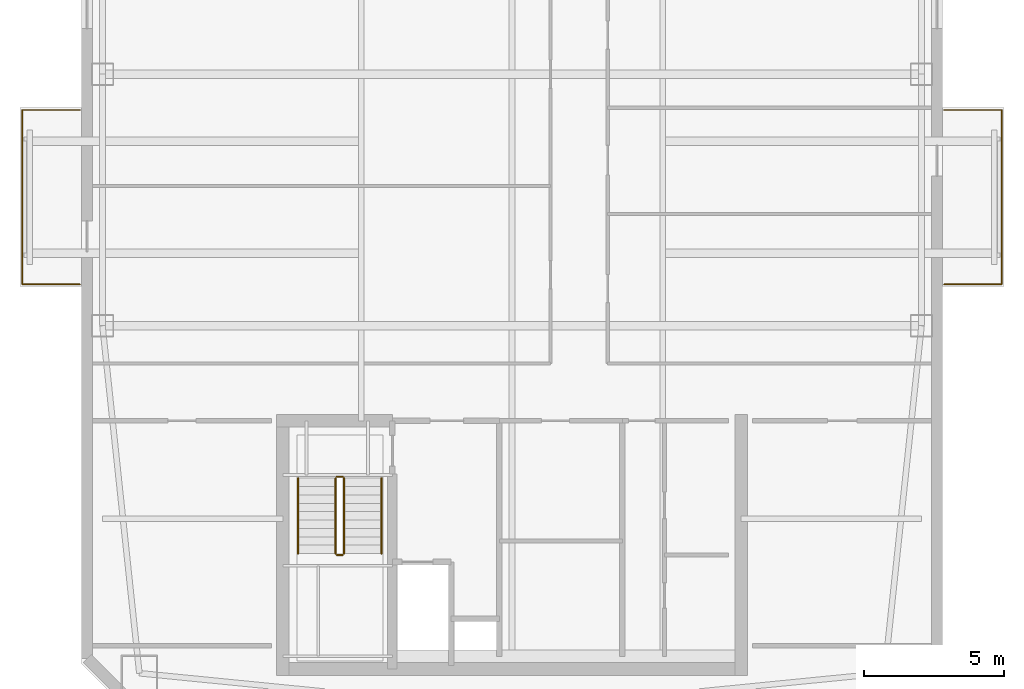
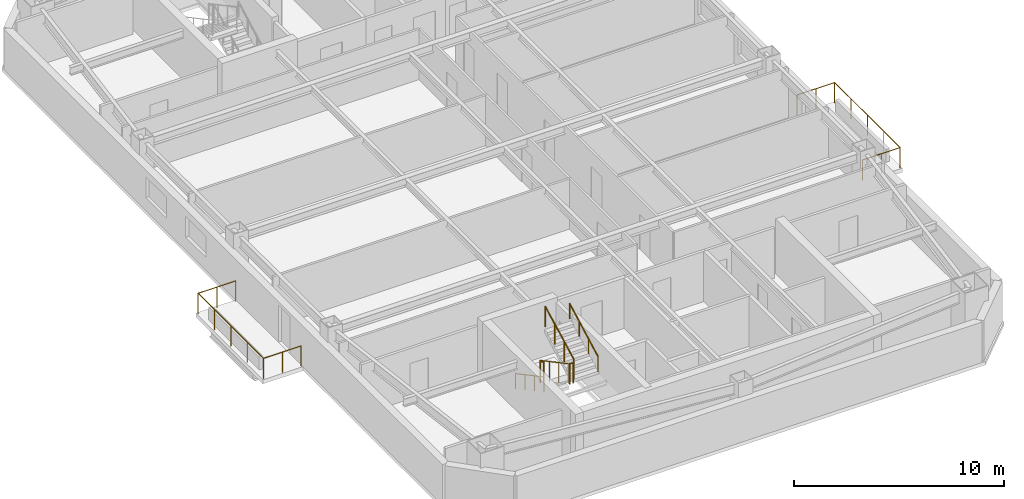
# One storey, part 5 of 6: 8 railings.
"""IFC4 building model written with IfcOpenShell, lengths in metres."""

import ifcopenshell
import ifcopenshell.guid

model = None  # the IFC model being written
_history = None  # IfcOwnerHistory: only IFC2X3 demands one
_inside = {}  # id of a spatial element -> (the spatial element, [elements in it])
_under = {}  # id of a project, library or spatial element -> (it, [spatial elements below it])
_declared = {}  # id of a project -> (the project, [libraries it declares])
_typed = {}  # id of a type object -> (the type object, [elements of that type])
_made_of = {}  # id of a material, layer set ... -> (it, [elements and type objects made of it])


def new_model(schema):
    """Start an empty IFC model of exactly this schema.

    Asked for "IFC4X3", IfcOpenShell would pick the latest addendum, in which some entities
    have other attributes; the version numbers below select the first issue.
    IFC2X3 requires an IfcOwnerHistory on every rooted entity: one is made here for all.
    """
    global model, _history
    if schema == "IFC4X3":
        model = ifcopenshell.file(schema_version=(4, 3, 0, 0))
    else:
        model = ifcopenshell.file(schema=schema)
    _inside.clear()
    _under.clear()
    _declared.clear()
    _typed.clear()
    _made_of.clear()
    _history = None
    if model.schema == "IFC2X3":
        org = make("IfcOrganization", Name="unknown")
        user = make(
            "IfcPersonAndOrganization",
            ThePerson=make("IfcPerson", FamilyName="unknown"),
            TheOrganization=org,
        )
        app = make(
            "IfcApplication",
            ApplicationDeveloper=org,
            Version="unknown",
            ApplicationFullName="unknown",
            ApplicationIdentifier="unknown",
        )
        _history = make(
            "IfcOwnerHistory",
            OwningUser=user,
            OwningApplication=app,
            ChangeAction="ADDED",
            CreationDate=0,
        )
    return model


def make(cls, **values):
    """One entity of the class cls with the attributes given. An attribute that is None is left unset."""
    return model.create_entity(
        cls, **{name: value for name, value in values.items() if value is not None}
    )


def rooted(cls, **values):
    """An entity with a GlobalId (a new one), such as an element, a storey or a relation."""
    return make(cls, GlobalId=ifcopenshell.guid.new(), OwnerHistory=_history, **values)


def si_unit(unit_type, name, prefix=None):
    """IfcSIUnit, for example si_unit("LENGTHUNIT", "METRE", prefix="MILLI")."""
    return make("IfcSIUnit", UnitType=unit_type, Prefix=prefix, Name=name)


def assignment(units):
    """IfcUnitAssignment: the units of a project."""
    return None if units is None else make("IfcUnitAssignment", Units=units)


def point(xyz):
    """IfcCartesianPoint."""
    return None if xyz is None else make("IfcCartesianPoint", Coordinates=xyz)


def direction(xyz):
    """IfcDirection."""
    return None if xyz is None else make("IfcDirection", DirectionRatios=xyz)


def frame(location, z_axis=None, x_axis=None):
    """IfcAxis2Placement3D, a coordinate frame: its origin and axes. An axis left out is left unset."""
    return make(
        "IfcAxis2Placement3D",
        Location=point(location),
        Axis=direction(z_axis),
        RefDirection=direction(x_axis),
    )


def frame_2d(location, x_axis=None):
    """IfcAxis2Placement2D, a coordinate frame in the plane: its origin and x axis."""
    return make(
        "IfcAxis2Placement2D", Location=point(location), RefDirection=direction(x_axis)
    )


def origin():
    """The frame at (0, 0, 0) with its axes left unset."""
    return frame((0.0, 0.0, 0.0))


def origin_2d():
    """The frame at (0, 0) in the plane with its x axis left unset."""
    return frame_2d((0.0, 0.0))


def place(relative_to, where):
    """IfcLocalPlacement: puts the frame where relative to a parent placement (None: the world)."""
    return make(
        "IfcLocalPlacement", PlacementRelTo=relative_to, RelativePlacement=where
    )


def context(
    kind, dimensions, precision=None, world=None, true_north=None, identifier=None
):
    """IfcGeometricRepresentationContext, for example the 3D "Model" context."""
    return make(
        "IfcGeometricRepresentationContext",
        ContextIdentifier=identifier,
        ContextType=kind,
        CoordinateSpaceDimension=dimensions,
        Precision=precision,
        WorldCoordinateSystem=world,
        TrueNorth=true_north,
    )


def subcontext(parent, identifier, kind, view, scale=None):
    """IfcGeometricRepresentationSubContext, for example "Body" below "Model"."""
    return make(
        "IfcGeometricRepresentationSubContext",
        ContextIdentifier=identifier,
        ContextType=kind,
        ParentContext=parent,
        TargetScale=scale,
        TargetView=view,
    )


def project(units=None, contexts=None):
    """IfcProject with its units and contexts."""
    return rooted(
        "IfcProject",
        Name="project",
        RepresentationContexts=contexts,
        UnitsInContext=assignment(units),
    )


def spatial(cls, under=None, at=None, **own):
    """A site, building, storey or space (cls), placed at a placement, below another one or the project."""
    s = rooted(cls, ObjectPlacement=at, **own)
    if under is not None:
        _under.setdefault(under.id(), (under, []))[1].append(s)
    return s


def profile(cls, at=None, kind="AREA", **sizes):
    """A parametric profile (cls). Its sizes go by their IFC names, for example OverallWidth=200.0."""
    return make(cls, ProfileType=kind, Position=at, **sizes)


def circle(**sizes):
    """IfcCircleProfileDef."""
    return profile("IfcCircleProfileDef", **sizes)


def extrude(swept, where, along, depth):
    """IfcExtrudedAreaSolid: the profile swept, set in the frame where, extruded along a direction by depth."""
    return make(
        "IfcExtrudedAreaSolid",
        SweptArea=swept,
        Position=where,
        ExtrudedDirection=direction(along),
        Depth=depth,
    )


def shape(context_of_items, identifier, shape_type, items):
    """IfcShapeRepresentation: the items that make up one representation, for example the "Body"."""
    return make(
        "IfcShapeRepresentation",
        ContextOfItems=context_of_items,
        RepresentationIdentifier=identifier,
        RepresentationType=shape_type,
        Items=items,
    )


def material(Name=None, Category=None):
    """IfcMaterial."""
    return make("IfcMaterial", Name=Name, Category=Category)


def made_of(thing, what):
    """Note that an element or type object is made of a material, layer set ...; save() writes the relation."""
    if what is not None:
        _made_of.setdefault(what.id(), (what, []))[1].append(thing)
    return thing


def type_object(cls, material=None, **own):
    """A type object (cls), such as IfcWallType, which elements share."""
    return made_of(rooted(cls, **own), material)


def element(
    cls,
    number,
    at=None,
    inside=None,
    cuts=None,
    type_object=None,
    material=None,
    context=None,
    identifier="Body",
    shape_type=None,
    held_by="IfcProductDefinitionShape",
    body=None,
    shapes=None,
    **own,
):
    """One element of the class cls, such as IfcWall. Its Tag is "e" and its number.

    at: its placement. inside: the storey or other place that contains it. cuts: it is an
    opening in that element (IfcRelVoidsElement). A single representation is given by context,
    identifier, shape_type and body (its items); several are given by shapes. held_by: the class
    of the entity that holds the representations. save() writes the other relations.
    """
    e = rooted(cls, Tag="e%d" % number, ObjectPlacement=at, **own)
    if body is not None:
        shapes = [shape(context, identifier, shape_type, body)]
    if shapes is not None:
        e.Representation = make(held_by, Representations=shapes)
    if inside is not None:
        _inside.setdefault(inside.id(), (inside, []))[1].append(e)
    if cuts is not None:
        rooted(
            "IfcRelVoidsElement", RelatingBuildingElement=cuts, RelatedOpeningElement=e
        )
    if type_object is not None:
        _typed.setdefault(type_object.id(), (type_object, []))[1].append(e)
    return made_of(e, material)


def aggregate(whole, parts):
    """IfcRelAggregates: a whole, such as a stair, and the parts it consists of."""
    return rooted("IfcRelAggregates", RelatingObject=whole, RelatedObjects=parts)


def save(model, path):
    """Write the relations noted so far, then the file.

    IfcRelAggregates (storeys below a building ...), IfcRelContainedInSpatialStructure (elements
    in a storey), IfcRelDefinesByType, IfcRelAssociatesMaterial and IfcRelDeclares: one each for
    every whole, place, type object, material and project.
    """
    for whole, parts in _under.values():
        aggregate(whole, parts)
    for where, things in _inside.values():
        rooted(
            "IfcRelContainedInSpatialStructure",
            RelatedElements=things,
            RelatingStructure=where,
        )
    for kind, things in _typed.values():
        rooted("IfcRelDefinesByType", RelatedObjects=things, RelatingType=kind)
    for what, things in _made_of.values():
        rooted("IfcRelAssociatesMaterial", RelatedObjects=things, RelatingMaterial=what)
    for by, libraries in _declared.values():
        rooted("IfcRelDeclares", RelatingContext=by, RelatedDefinitions=libraries)
    model.write(path)


model = new_model("IFC4")

# Units and contexts
model_context = context("Model", 3, precision=1e-05, world=origin(), true_north=direction((0.0, 1.0)))
body_context = subcontext(model_context, "Body", "Model", "MODEL_VIEW")
ifc_project = project(units=[si_unit("LENGTHUNIT", "METRE"), si_unit("AREAUNIT", "SQUARE_METRE"), si_unit("VOLUMEUNIT", "CUBIC_METRE"), si_unit("PLANEANGLEUNIT", "RADIAN"), si_unit("MASSUNIT", "GRAM", prefix="KILO")], contexts=[model_context])

# Site, building, storey
site_placement = place(None, origin())
site = spatial("IfcSite", under=ifc_project, at=site_placement, CompositionType="ELEMENT")
building_placement = place(site_placement, origin())
building = spatial("IfcBuilding", under=site, at=building_placement, Name="Qiaolan Cultural Towers", CompositionType="ELEMENT")
storey_placement = place(building_placement, frame((0.0, 0.0, 269.60009765625)))
storey = spatial("IfcBuildingStorey", under=building, at=storey_placement, Name="L74", CompositionType="ELEMENT", Elevation=269.60009765625)

# Railings
ifc_material_1 = material(Name="Laminated SentryGlas & Stainless Steel S31608 Balustrade", Category="steel")
railing_type_1 = type_object("IfcRailingType", Name="GRD-TERR-1200", PredefinedType="BALUSTRADE", material=ifc_material_1)
railing_1_placement = place(storey_placement, frame((14.550048828125, 26.47998046875, 0.0)))
element("IfcRailing", 1, at=railing_1_placement, inside=storey, type_object=railing_type_1, Name="L74 T1 Tree Balcony Guardrail W", PredefinedType="BALUSTRADE", context=body_context, shape_type="SweptSolid", body=[
    extrude(circle(Radius=0.02392578125, at=origin_2d()), frame((0.0, 0.0, 1.17578125), z_axis=(-1.0, 0.0, 0.0), x_axis=(0.0, -1.0, 0.0)), (0.0, 0.0, 1.0), 2.070068359375),
    extrude(circle(Radius=0.02392578125, at=origin_2d()), frame((-2.070068359375, 0.0, 1.17578125), z_axis=(0.0, 1.0, 0.0), x_axis=(-1.0, 0.0, 0.0)), (0.0, 0.0, 1.0), 6.239990234375),
    extrude(circle(Radius=0.02392578125, at=origin_2d()), frame((-2.070068359375, 6.239990234375, 1.17578125), z_axis=(1.0, 0.0, 0.0), x_axis=(0.0, 1.0, 0.0)), (0.0, 0.0, 1.0), 2.070068359375),
    extrude(circle(Radius=0.02099609375, at=origin_2d()), origin(), (0.0, 0.0, 1.0), 1.15185546875),
    extrude(circle(Radius=0.02099609375, at=origin_2d()), frame((-1.03515625, 0.0, 0.0)), (0.0, 0.0, 1.0), 1.15185546875),
    extrude(circle(Radius=0.02099609375, at=origin_2d()), frame((-2.070068359375, 0.0, 0.0)), (0.0, 0.0, 1.0), 1.15185546875),
    extrude(circle(Radius=0.02099609375, at=origin_2d()), frame((-2.070068359375, 1.56005859375, 0.0)), (0.0, 0.0, 1.0), 1.15185546875),
    extrude(circle(Radius=0.02099609375, at=origin_2d()), frame((-2.070068359375, 3.1201171875, 0.0)), (0.0, 0.0, 1.0), 1.15185546875),
    extrude(circle(Radius=0.02099609375, at=origin_2d()), frame((-2.070068359375, 4.679931640625, 0.0)), (0.0, 0.0, 1.0), 1.15185546875),
    extrude(circle(Radius=0.02099609375, at=origin_2d()), frame((-2.070068359375, 6.239990234375, 0.0)), (0.0, 0.0, 1.0), 1.15185546875),
    extrude(circle(Radius=0.02099609375, at=origin_2d()), frame((-1.03515625, 6.239990234375, 0.0)), (0.0, 0.0, 1.0), 1.15185546875),
    extrude(circle(Radius=0.02099609375, at=origin_2d()), frame((0.0, 6.239990234375, 0.0)), (0.0, 0.0, 1.0), 1.15185546875),
])
railing_2_placement = place(storey_placement, frame((45.449951171875, 26.47998046875, 0.0)))
element("IfcRailing", 2, at=railing_2_placement, inside=storey, type_object=railing_type_1, Name="L74 T1 Tree Balcony Guardrail E", PredefinedType="BALUSTRADE", context=body_context, shape_type="SweptSolid", body=[
    extrude(circle(Radius=0.02392578125, at=origin_2d()), frame((0.0, 0.0, 1.17578125), z_axis=(1.0, 0.0, 0.0), x_axis=(0.0, 1.0, 0.0)), (0.0, 0.0, 1.0), 2.070068359375),
    extrude(circle(Radius=0.02392578125, at=origin_2d()), frame((2.070068359375, 0.0, 1.17578125), z_axis=(0.0, 1.0, 0.0), x_axis=(-1.0, 0.0, 0.0)), (0.0, 0.0, 1.0), 6.239990234375),
    extrude(circle(Radius=0.02392578125, at=origin_2d()), frame((2.070068359375, 6.239990234375, 1.17578125), z_axis=(-1.0, 0.0, 0.0), x_axis=(0.0, -1.0, 0.0)), (0.0, 0.0, 1.0), 2.070068359375),
    extrude(circle(Radius=0.02099609375, at=origin_2d()), origin(), (0.0, 0.0, 1.0), 1.15185546875),
    extrude(circle(Radius=0.02099609375, at=origin_2d()), frame((1.03515625, 0.0, 0.0)), (0.0, 0.0, 1.0), 1.15185546875),
    extrude(circle(Radius=0.02099609375, at=origin_2d()), frame((2.070068359375, 0.0, 0.0)), (0.0, 0.0, 1.0), 1.15185546875),
    extrude(circle(Radius=0.02099609375, at=origin_2d()), frame((2.070068359375, 1.56005859375, 0.0)), (0.0, 0.0, 1.0), 1.15185546875),
    extrude(circle(Radius=0.02099609375, at=origin_2d()), frame((2.070068359375, 3.1201171875, 0.0)), (0.0, 0.0, 1.0), 1.15185546875),
    extrude(circle(Radius=0.02099609375, at=origin_2d()), frame((2.070068359375, 4.679931640625, 0.0)), (0.0, 0.0, 1.0), 1.15185546875),
    extrude(circle(Radius=0.02099609375, at=origin_2d()), frame((2.070068359375, 6.239990234375, 0.0)), (0.0, 0.0, 1.0), 1.15185546875),
    extrude(circle(Radius=0.02099609375, at=origin_2d()), frame((1.03515625, 6.239990234375, 0.0)), (0.0, 0.0, 1.0), 1.15185546875),
    extrude(circle(Radius=0.02099609375, at=origin_2d()), frame((0.0, 6.239990234375, 0.0)), (0.0, 0.0, 1.0), 1.15185546875),
])
ifc_material_2 = material(Name="Galvanized Painted Steel Stair Guardrail", Category="steel")
railing_type_2 = type_object("IfcRailingType", Name="RL-STAIR-GRD", PredefinedType="GUARDRAIL", material=ifc_material_2)
railing_3_placement = place(storey_placement, frame((23.68994140625, 19.550048828125, 0.159912109375)))
element("IfcRailing", 3, at=railing_3_placement, inside=storey, type_object=railing_type_2, Name="L74 ST-W1 stair guard 1", PredefinedType="GUARDRAIL", context=body_context, shape_type="SweptSolid", body=[
    extrude(circle(Radius=0.02392578125, at=origin_2d()), frame((0.0, 0.0, 1.17578125), z_axis=(0.0, -0.882357358376, 0.470579952952), x_axis=(1.0, 0.0, 0.0)), (0.0, 0.0, 1.0), 3.059814453125),
    extrude(circle(Radius=0.02099609375, at=origin_2d()), origin(), (0.0, 0.0, 1.0), 1.15185546875),
    extrude(circle(Radius=0.02099609375, at=origin_2d()), frame((0.0, -0.89990234375, 0.47998046875)), (0.0, 0.0, 1.0), 1.15185546875),
    extrude(circle(Radius=0.02099609375, at=origin_2d()), frame((0.0, -1.800048828125, 0.9599609375)), (0.0, 0.0, 1.0), 1.15185546875),
    extrude(circle(Radius=0.02099609375, at=origin_2d()), frame((0.0, -2.699951171875, 1.43994140625)), (0.0, 0.0, 1.0), 1.15185546875),
])
railing_4_placement = place(storey_placement, frame((23.739990234375, 16.800048828125, 1.599853515625)))
element("IfcRailing", 4, at=railing_4_placement, inside=storey, type_object=railing_type_2, Name="L74 ST-W1 stair guard 2", PredefinedType="GUARDRAIL", context=body_context, shape_type="SweptSolid", body=[
    extrude(circle(Radius=0.02392578125, at=origin_2d()), frame((0.0, 0.0, 1.17578125), z_axis=(1.0, 0.0, 0.0), x_axis=(0.0, 1.0, 0.0)), (0.0, 0.0, 1.0), 0.199951171875),
    extrude(circle(Radius=0.02099609375, at=origin_2d()), origin(), (0.0, 0.0, 1.0), 1.15185546875),
    extrude(circle(Radius=0.02099609375, at=origin_2d()), frame((0.199951171875, 0.0, 0.0)), (0.0, 0.0, 1.0), 1.15185546875),
])
railing_5_placement = place(storey_placement, frame((23.989990234375, 16.85009765625, 1.760009765625)))
element("IfcRailing", 5, at=railing_5_placement, inside=storey, type_object=railing_type_2, Name="L74 ST-W1 stair guard 3", PredefinedType="GUARDRAIL", context=body_context, shape_type="SweptSolid", body=[
    extrude(circle(Radius=0.02392578125, at=origin_2d()), frame((0.0, 0.0, 1.17578125), z_axis=(0.0, 0.882357358376, 0.470579952952), x_axis=(-1.0, 0.0, 0.0)), (0.0, 0.0, 1.0), 3.059814453125),
    extrude(circle(Radius=0.02099609375, at=origin_2d()), origin(), (0.0, 0.0, 1.0), 1.15185546875),
    extrude(circle(Radius=0.02099609375, at=origin_2d()), frame((0.0, 0.89990234375, 0.47998046875)), (0.0, 0.0, 1.0), 1.15185546875),
    extrude(circle(Radius=0.02099609375, at=origin_2d()), frame((0.0, 1.800048828125, 0.9599609375)), (0.0, 0.0, 1.0), 1.15185546875),
    extrude(circle(Radius=0.02099609375, at=origin_2d()), frame((0.0, 2.699951171875, 1.43994140625)), (0.0, 0.0, 1.0), 1.15185546875),
])
railing_6_placement = place(storey_placement, frame((23.739990234375, 19.60009765625, 0.0)))
element("IfcRailing", 6, at=railing_6_placement, inside=storey, type_object=railing_type_2, Name="L74 ST-W1 stair guard 4", PredefinedType="GUARDRAIL", context=body_context, shape_type="SweptSolid", body=[
    extrude(circle(Radius=0.02392578125, at=origin_2d()), frame((0.0, 0.0, 1.17578125), z_axis=(1.0, 0.0, 0.0), x_axis=(0.0, 1.0, 0.0)), (0.0, 0.0, 1.0), 0.199951171875),
    extrude(circle(Radius=0.02099609375, at=origin_2d()), origin(), (0.0, 0.0, 1.0), 1.15185546875),
    extrude(circle(Radius=0.02099609375, at=origin_2d()), frame((0.199951171875, 0.0, 0.0)), (0.0, 0.0, 1.0), 1.15185546875),
])
ifc_material_3 = material(Name="Stainless Steel S30408 Tubular Handrail", Category="steel")
railing_type_3 = type_object("IfcRailingType", Name="RL-STAIR-HR", PredefinedType="HANDRAIL", material=ifc_material_3)
railing_7_placement = place(storey_placement, frame((22.35009765625, 19.550048828125, 0.159912109375)))
element("IfcRailing", 7, at=railing_7_placement, inside=storey, type_object=railing_type_3, Name="L74 ST-W1 stair handrail 1", PredefinedType="HANDRAIL", context=body_context, shape_type="SweptSolid", body=[
    extrude(circle(Radius=0.02392578125, at=origin_2d()), frame((0.0, 0.0, 0.8759765625), z_axis=(0.0, -0.882357358376, 0.470579952952), x_axis=(1.0, 0.0, 0.0)), (0.0, 0.0, 1.0), 3.059814453125),
    extrude(circle(Radius=0.02099609375, at=origin_2d()), origin(), (0.0, 0.0, 1.0), 0.851806640625),
    extrude(circle(Radius=0.02099609375, at=origin_2d()), frame((0.0, -0.89990234375, 0.47998046875)), (0.0, 0.0, 1.0), 0.851806640625),
    extrude(circle(Radius=0.02099609375, at=origin_2d()), frame((0.0, -1.800048828125, 0.9599609375)), (0.0, 0.0, 1.0), 0.851806640625),
    extrude(circle(Radius=0.02099609375, at=origin_2d()), frame((0.0, -2.699951171875, 1.43994140625)), (0.0, 0.0, 1.0), 0.851806640625),
])
railing_8_placement = place(storey_placement, frame((25.330078125, 16.85009765625, 1.760009765625)))
element("IfcRailing", 8, at=railing_8_placement, inside=storey, type_object=railing_type_3, Name="L74 ST-W1 stair handrail 2", PredefinedType="HANDRAIL", context=body_context, shape_type="SweptSolid", body=[
    extrude(circle(Radius=0.02392578125, at=origin_2d()), frame((0.0, 0.0, 0.8759765625), z_axis=(0.0, 0.882357358376, 0.470579952952), x_axis=(-1.0, 0.0, 0.0)), (0.0, 0.0, 1.0), 3.059814453125),
    extrude(circle(Radius=0.02099609375, at=origin_2d()), origin(), (0.0, 0.0, 1.0), 0.851806640625),
    extrude(circle(Radius=0.02099609375, at=origin_2d()), frame((0.0, 0.89990234375, 0.47998046875)), (0.0, 0.0, 1.0), 0.851806640625),
    extrude(circle(Radius=0.02099609375, at=origin_2d()), frame((0.0, 1.800048828125, 0.9599609375)), (0.0, 0.0, 1.0), 0.851806640625),
    extrude(circle(Radius=0.02099609375, at=origin_2d()), frame((0.0, 2.699951171875, 1.43994140625)), (0.0, 0.0, 1.0), 0.851806640625),
])

save(model, "model.ifc")
